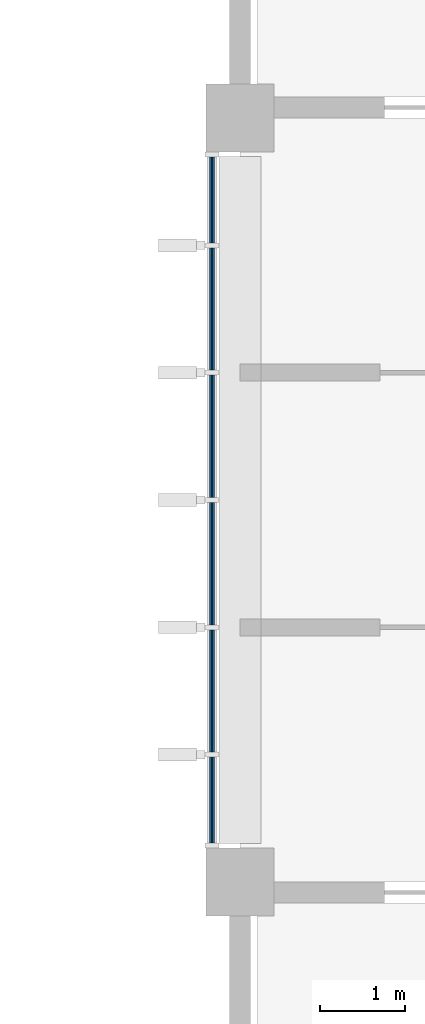
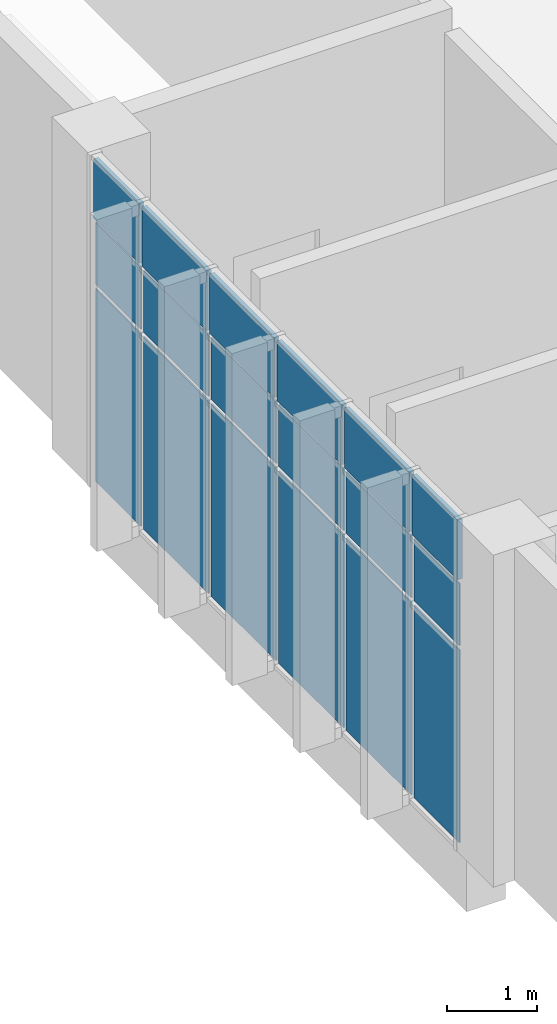
# One storey, part 17 of 40: 18 plates, 1 element without a shape of its own.
"""IFC4 building model written with IfcOpenShell, lengths in metres."""

from ifc_helpers import new_model, si_unit, direction, frame, origin, origin_2d, place, context, subcontext, project, spatial, rectangle, extrude, material, layer, layer_set, type_object, element, aggregate, save


model = new_model("IFC4")

# Units and contexts
model_context = context("Model", 3, precision=1e-05, world=origin(), true_north=direction((0.0, 1.0)))
body_context = subcontext(model_context, "Body", "Model", "MODEL_VIEW")
ifc_project = project(units=[si_unit("LENGTHUNIT", "METRE"), si_unit("AREAUNIT", "SQUARE_METRE"), si_unit("VOLUMEUNIT", "CUBIC_METRE"), si_unit("PLANEANGLEUNIT", "RADIAN"), si_unit("MASSUNIT", "GRAM", prefix="KILO")], contexts=[model_context])

# Site, building, storey
site_placement = place(None, origin())
site = spatial("IfcSite", under=ifc_project, at=site_placement, CompositionType="ELEMENT")
building_placement = place(site_placement, origin())
building = spatial("IfcBuilding", under=site, at=building_placement, Name="Guidao Yard Department Store", CompositionType="ELEMENT")
storey_placement = place(building_placement, frame((0.0, 0.0, 24.0)))
storey = spatial("IfcBuildingStorey", under=building, at=storey_placement, Name="L05", CompositionType="ELEMENT", Elevation=24.0)

# Curtain wall, plates
ifc_material_1 = material(Name="Aluminium and glass", Category="aluminium")
ifc_layer_1 = layer(ifc_material_1, 0.159912109375)
ifc_layer_set_1 = layer_set([ifc_layer_1], Name="Unitised curtain wall CW4 1500 module")
curtain_wall_type = type_object("IfcCurtainWallType", Name="Unitised curtain wall CW4 1500 module", PredefinedType="NOTDEFINED", material=ifc_layer_set_1)
curtain_wall_placement = place(storey_placement, origin())
curtain_wall = element("IfcCurtainWall", 1, at=curtain_wall_placement, inside=storey, type_object=curtain_wall_type, Name="Unitised curtain wall", PredefinedType="NOTDEFINED")
ifc_material_2 = material(Name="Aluminium 6063-T5 faced insulated spandrel", Category="aluminium")
ifc_layer_2 = layer(ifc_material_2, 0.06005859375)
ifc_layer_set_2 = layer_set([ifc_layer_2], Name="Spandrel panel SP1 insulated opaque")
plate_type_1 = type_object("IfcPlateType", Name="Spandrel panel SP1 insulated opaque", PredefinedType="CURTAIN_PANEL", material=ifc_layer_set_2)
plate_1_placement = place(storey_placement, frame((125.669921875, 9.965087890625, 3.6298828125), z_axis=(0.0, 0.0, 1.0), x_axis=(0.0, 1.0, 0.0)))
plate_1 = element("IfcPlate", 2, at=plate_1_placement, type_object=plate_type_1, Name="CW-OW-L05-05 panel 1.3", PredefinedType="CURTAIN_PANEL", context=body_context, shape_type="SweptSolid", body=[
    extrude(rectangle(XDim=1.010009765625, YDim=0.06005859375, at=origin_2d()), origin(), (0.0, 0.0, 1.0), 0.81005859375),
])
plate_2_placement = place(storey_placement, frame((125.669921875, 11.25, 3.6298828125), z_axis=(0.0, 0.0, 1.0), x_axis=(0.0, 1.0, 0.0)))
plate_2 = element("IfcPlate", 3, at=plate_2_placement, type_object=plate_type_1, Name="CW-OW-L05-05 panel 2.3", PredefinedType="CURTAIN_PANEL", context=body_context, shape_type="SweptSolid", body=[
    extrude(rectangle(XDim=1.43994140625, YDim=0.06005859375, at=origin_2d()), origin(), (0.0, 0.0, 1.0), 0.81005859375),
])
plate_3_placement = place(storey_placement, frame((125.669921875, 12.75, 3.6298828125), z_axis=(0.0, 0.0, 1.0), x_axis=(0.0, 1.0, 0.0)))
plate_3 = element("IfcPlate", 4, at=plate_3_placement, type_object=plate_type_1, Name="CW-OW-L05-05 panel 3.3", PredefinedType="CURTAIN_PANEL", context=body_context, shape_type="SweptSolid", body=[
    extrude(rectangle(XDim=1.43994140625, YDim=0.06005859375, at=origin_2d()), origin(), (0.0, 0.0, 1.0), 0.81005859375),
])
plate_4_placement = place(storey_placement, frame((125.669921875, 14.25, 3.6298828125), z_axis=(0.0, 0.0, 1.0), x_axis=(0.0, 1.0, 0.0)))
plate_4 = element("IfcPlate", 5, at=plate_4_placement, type_object=plate_type_1, Name="CW-OW-L05-05 panel 4.3", PredefinedType="CURTAIN_PANEL", context=body_context, shape_type="SweptSolid", body=[
    extrude(rectangle(XDim=1.43994140625, YDim=0.06005859375, at=origin_2d()), origin(), (0.0, 0.0, 1.0), 0.81005859375),
])
plate_5_placement = place(storey_placement, frame((125.669921875, 15.75, 3.6298828125), z_axis=(0.0, 0.0, 1.0), x_axis=(0.0, 1.0, 0.0)))
plate_5 = element("IfcPlate", 6, at=plate_5_placement, type_object=plate_type_1, Name="CW-OW-L05-05 panel 5.3", PredefinedType="CURTAIN_PANEL", context=body_context, shape_type="SweptSolid", body=[
    extrude(rectangle(XDim=1.43994140625, YDim=0.06005859375, at=origin_2d()), origin(), (0.0, 0.0, 1.0), 0.81005859375),
])
plate_6_placement = place(storey_placement, frame((125.669921875, 17.034912109375, 3.6298828125), z_axis=(0.0, 0.0, 1.0), x_axis=(0.0, 1.0, 0.0)))
plate_6 = element("IfcPlate", 7, at=plate_6_placement, type_object=plate_type_1, Name="CW-OW-L05-05 panel 6.3", PredefinedType="CURTAIN_PANEL", context=body_context, shape_type="SweptSolid", body=[
    extrude(rectangle(XDim=1.010009765625, YDim=0.06005859375, at=origin_2d()), origin(), (0.0, 0.0, 1.0), 0.81005859375),
])
ifc_material_3 = material(Name="Laminated heat-soaked tempered glass", Category="glass")
ifc_layer_3 = layer(ifc_material_3, 0.017578125)
ifc_layer_set_3 = layer_set([ifc_layer_3], Name="Vision glass VG1 laminated heat-soaked tempered 8+8")
plate_type_2 = type_object("IfcPlateType", Name="Vision glass VG1 laminated heat-soaked tempered 8+8", PredefinedType="CURTAIN_PANEL", material=ifc_layer_set_3)
plate_7_placement = place(storey_placement, frame((125.669921875, 9.965087890625, 0.06005859375), z_axis=(0.0, 0.0, 1.0), x_axis=(0.0, 1.0, 0.0)))
plate_7 = element("IfcPlate", 8, at=plate_7_placement, type_object=plate_type_2, Name="CW-OW-L05-05 panel 1.1", PredefinedType="CURTAIN_PANEL", context=body_context, shape_type="SweptSolid", body=[
    extrude(rectangle(XDim=1.010009765625, YDim=0.017578125, at=origin_2d()), origin(), (0.0, 0.0, 1.0), 2.610107421875),
])
plate_8_placement = place(storey_placement, frame((125.669921875, 9.965087890625, 2.72998046875), z_axis=(0.0, 0.0, 1.0), x_axis=(0.0, 1.0, 0.0)))
plate_8 = element("IfcPlate", 9, at=plate_8_placement, type_object=plate_type_2, Name="CW-OW-L05-05 panel 1.2", PredefinedType="CURTAIN_PANEL", context=body_context, shape_type="SweptSolid", body=[
    extrude(rectangle(XDim=1.010009765625, YDim=0.017578125, at=origin_2d()), origin(), (0.0, 0.0, 1.0), 0.840087890625),
])
plate_9_placement = place(storey_placement, frame((125.669921875, 11.25, 0.06005859375), z_axis=(0.0, 0.0, 1.0), x_axis=(0.0, 1.0, 0.0)))
plate_9 = element("IfcPlate", 10, at=plate_9_placement, type_object=plate_type_2, Name="CW-OW-L05-05 panel 2.1", PredefinedType="CURTAIN_PANEL", context=body_context, shape_type="SweptSolid", body=[
    extrude(rectangle(XDim=1.43994140625, YDim=0.017578125, at=origin_2d()), origin(), (0.0, 0.0, 1.0), 2.610107421875),
])
plate_10_placement = place(storey_placement, frame((125.669921875, 11.25, 2.72998046875), z_axis=(0.0, 0.0, 1.0), x_axis=(0.0, 1.0, 0.0)))
plate_10 = element("IfcPlate", 11, at=plate_10_placement, type_object=plate_type_2, Name="CW-OW-L05-05 panel 2.2", PredefinedType="CURTAIN_PANEL", context=body_context, shape_type="SweptSolid", body=[
    extrude(rectangle(XDim=1.43994140625, YDim=0.017578125, at=origin_2d()), origin(), (0.0, 0.0, 1.0), 0.840087890625),
])
plate_11_placement = place(storey_placement, frame((125.669921875, 12.75, 0.06005859375), z_axis=(0.0, 0.0, 1.0), x_axis=(0.0, 1.0, 0.0)))
plate_11 = element("IfcPlate", 12, at=plate_11_placement, type_object=plate_type_2, Name="CW-OW-L05-05 panel 3.1", PredefinedType="CURTAIN_PANEL", context=body_context, shape_type="SweptSolid", body=[
    extrude(rectangle(XDim=1.43994140625, YDim=0.017578125, at=origin_2d()), origin(), (0.0, 0.0, 1.0), 2.610107421875),
])
plate_12_placement = place(storey_placement, frame((125.669921875, 12.75, 2.72998046875), z_axis=(0.0, 0.0, 1.0), x_axis=(0.0, 1.0, 0.0)))
plate_12 = element("IfcPlate", 13, at=plate_12_placement, type_object=plate_type_2, Name="CW-OW-L05-05 panel 3.2", PredefinedType="CURTAIN_PANEL", context=body_context, shape_type="SweptSolid", body=[
    extrude(rectangle(XDim=1.43994140625, YDim=0.017578125, at=origin_2d()), origin(), (0.0, 0.0, 1.0), 0.840087890625),
])
plate_13_placement = place(storey_placement, frame((125.669921875, 14.25, 0.06005859375), z_axis=(0.0, 0.0, 1.0), x_axis=(0.0, 1.0, 0.0)))
plate_13 = element("IfcPlate", 14, at=plate_13_placement, type_object=plate_type_2, Name="CW-OW-L05-05 panel 4.1", PredefinedType="CURTAIN_PANEL", context=body_context, shape_type="SweptSolid", body=[
    extrude(rectangle(XDim=1.43994140625, YDim=0.017578125, at=origin_2d()), origin(), (0.0, 0.0, 1.0), 2.610107421875),
])
plate_14_placement = place(storey_placement, frame((125.669921875, 14.25, 2.72998046875), z_axis=(0.0, 0.0, 1.0), x_axis=(0.0, 1.0, 0.0)))
plate_14 = element("IfcPlate", 15, at=plate_14_placement, type_object=plate_type_2, Name="CW-OW-L05-05 panel 4.2", PredefinedType="CURTAIN_PANEL", context=body_context, shape_type="SweptSolid", body=[
    extrude(rectangle(XDim=1.43994140625, YDim=0.017578125, at=origin_2d()), origin(), (0.0, 0.0, 1.0), 0.840087890625),
])
plate_15_placement = place(storey_placement, frame((125.669921875, 15.75, 0.06005859375), z_axis=(0.0, 0.0, 1.0), x_axis=(0.0, 1.0, 0.0)))
plate_15 = element("IfcPlate", 16, at=plate_15_placement, type_object=plate_type_2, Name="CW-OW-L05-05 panel 5.1", PredefinedType="CURTAIN_PANEL", context=body_context, shape_type="SweptSolid", body=[
    extrude(rectangle(XDim=1.43994140625, YDim=0.017578125, at=origin_2d()), origin(), (0.0, 0.0, 1.0), 2.610107421875),
])
plate_16_placement = place(storey_placement, frame((125.669921875, 15.75, 2.72998046875), z_axis=(0.0, 0.0, 1.0), x_axis=(0.0, 1.0, 0.0)))
plate_16 = element("IfcPlate", 17, at=plate_16_placement, type_object=plate_type_2, Name="CW-OW-L05-05 panel 5.2", PredefinedType="CURTAIN_PANEL", context=body_context, shape_type="SweptSolid", body=[
    extrude(rectangle(XDim=1.43994140625, YDim=0.017578125, at=origin_2d()), origin(), (0.0, 0.0, 1.0), 0.840087890625),
])
plate_17_placement = place(storey_placement, frame((125.669921875, 17.034912109375, 0.06005859375), z_axis=(0.0, 0.0, 1.0), x_axis=(0.0, 1.0, 0.0)))
plate_17 = element("IfcPlate", 18, at=plate_17_placement, type_object=plate_type_2, Name="CW-OW-L05-05 panel 6.1", PredefinedType="CURTAIN_PANEL", context=body_context, shape_type="SweptSolid", body=[
    extrude(rectangle(XDim=1.010009765625, YDim=0.017578125, at=origin_2d()), origin(), (0.0, 0.0, 1.0), 2.610107421875),
])
plate_18_placement = place(storey_placement, frame((125.669921875, 17.034912109375, 2.72998046875), z_axis=(0.0, 0.0, 1.0), x_axis=(0.0, 1.0, 0.0)))
plate_18 = element("IfcPlate", 19, at=plate_18_placement, type_object=plate_type_2, Name="CW-OW-L05-05 panel 6.2", PredefinedType="CURTAIN_PANEL", context=body_context, shape_type="SweptSolid", body=[
    extrude(rectangle(XDim=1.010009765625, YDim=0.017578125, at=origin_2d()), origin(), (0.0, 0.0, 1.0), 0.840087890625),
])
aggregate(curtain_wall, [plate_7, plate_8, plate_1, plate_9, plate_10, plate_2, plate_11, plate_12, plate_3, plate_13, plate_14, plate_4, plate_15, plate_16, plate_5, plate_17, plate_18, plate_6])

save(model, "model.ifc")
